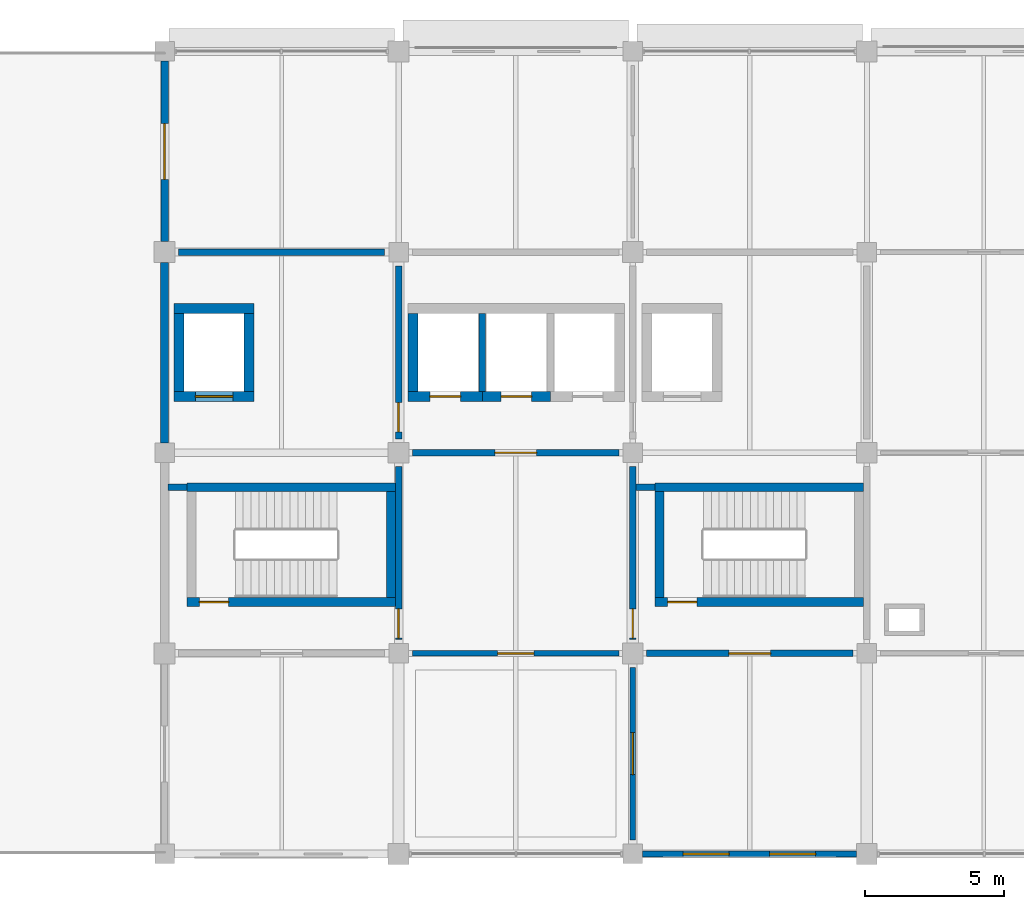
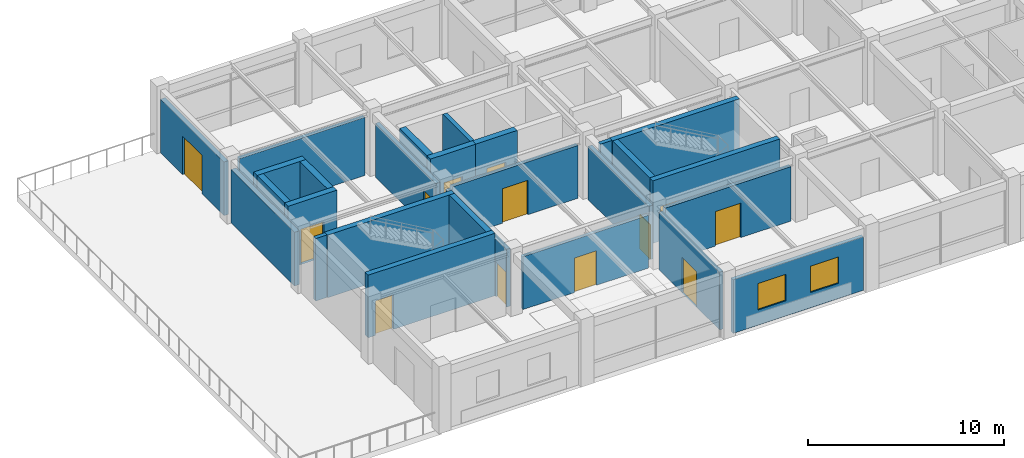
# One storey, part 6 of 10: 27 walls, 13 doors, 2 windows, 15 openings.
"""IFC4 building model written with IfcOpenShell, lengths in metres."""

from ifc_helpers import new_model, si_unit, derived_unit, direction, frame, frame_2d, origin, place, context, subcontext, project, spatial, rectangle, extrude, material, layer, layer_set, type_object, element, fill, save


model = new_model("IFC4")

# Units and contexts
model_context = context("Model", 3, precision=1e-05, world=origin(), true_north=direction((0.0, 1.0)))
body_context = subcontext(model_context, "Body", "Model", "MODEL_VIEW")
ifc_project = project(units=[si_unit("LENGTHUNIT", "METRE"), si_unit("AREAUNIT", "SQUARE_METRE"), si_unit("VOLUMEUNIT", "CUBIC_METRE"), si_unit("PLANEANGLEUNIT", "RADIAN"), si_unit("MASSUNIT", "GRAM", prefix="KILO"), derived_unit("THERMALTRANSMITTANCEUNIT", [(si_unit("MASSUNIT", "GRAM", prefix="KILO"), 1), (si_unit("TIMEUNIT", "SECOND"), -3), (si_unit("THERMODYNAMICTEMPERATUREUNIT", "KELVIN"), -1)])], contexts=[model_context])

# Site, building, storey
site_placement = place(None, origin())
site = spatial("IfcSite", under=ifc_project, at=site_placement, CompositionType="ELEMENT")
building_placement = place(site_placement, origin())
building = spatial("IfcBuilding", under=site, at=building_placement, Name="Veldstrom Oceanarium and Marine Research Institute", CompositionType="ELEMENT")
storey_placement = place(building_placement, frame((0.0, 0.0, 43.800048828125)))
storey = spatial("IfcBuildingStorey", under=building, at=storey_placement, Name="L09", CompositionType="ELEMENT", Elevation=43.800048828125)

# Wall
ifc_material_1 = material(Name="Masonry Cavity Wall", Category="masonry")
ifc_layer_1 = layer(ifc_material_1, 0.2900390625)
ifc_layer_set_1 = layer_set([ifc_layer_1], Name="ARC-WAL-EW2")
wall_type_1 = type_object("IfcWallType", Name="ARC-WAL-EW2", PredefinedType="SOLIDWALL", material=ifc_layer_set_1)
wall_1_placement = place(storey_placement, frame((75.60009765625, 57.949951171875, 0.0), z_axis=(0.0, 0.0, 1.0), x_axis=(0.0, 1.0, 0.0)))
element("IfcWall", 1, at=wall_1_placement, inside=storey, type_object=wall_type_1, Name="Exterior Facade Wall EW2 L09-215", PredefinedType="SOLIDWALL", context=body_context, shape_type="SweptSolid", body=[
    extrude(rectangle(XDim=6.47509765625, YDim=0.2900390625, at=frame_2d((3.237548828125, 0.0))), origin(), (0.0, 0.0, 1.0), 3.344970703125),
])

# Wall, opening, door
ifc_material_2 = material(Name="Masonry Cavity Wall", Category="masonry")
ifc_layer_2 = layer(ifc_material_2, 0.27001953125)
ifc_layer_set_2 = layer_set([ifc_layer_2], Name="ARC-WAL-EW3")
wall_type_2 = type_object("IfcWallType", Name="ARC-WAL-EW3", PredefinedType="SOLIDWALL", material=ifc_layer_set_2)
wall_2_placement = place(storey_placement, frame((75.60009765625, 65.175048828125, 0.0), z_axis=(0.0, 0.0, 1.0), x_axis=(0.0, 1.0, 0.0)))
wall_2 = element("IfcWall", 2, at=wall_2_placement, inside=storey, type_object=wall_type_2, Name="Exterior Facade Wall EW3 L09-216", PredefinedType="SOLIDWALL", context=body_context, shape_type="SweptSolid", body=[
    extrude(rectangle(XDim=6.474853515625, YDim=0.27001953125, at=frame_2d((3.2373046875, 0.0))), origin(), (0.0, 0.0, 1.0), 3.344970703125),
])
opening_1_placement = place(wall_2_placement, frame((2.237548828125, 0.0, 0.0)))
opening_1 = element("IfcOpeningElement", 3, at=opening_1_placement, cuts=wall_2, Name="Opening D-L09-020", PredefinedType="OPENING", context=body_context, shape_type="SweptSolid", body=[
    extrude(rectangle(XDim=2.0, YDim=2.39990234375, at=frame_2d((1.0, 1.199951171875))), frame((0.0, 0.14501953125, 0.0), z_axis=(0.0, -1.0, 0.0), x_axis=(1.0, 0.0, 0.0)), (0.0, 0.0, 1.0), 0.2900390625),
])
ifc_material_3 = material(Name="Anodised Aluminium Glazed Door", Category="aluminium")
door_type_1 = type_object("IfcDoorType", Name="ARC-DOR-ED1", OperationType="DOUBLE_DOOR_SINGLE_SWING", PredefinedType="DOOR", material=ifc_material_3)
door_1_placement = place(opening_1_placement, origin())
door_1 = element("IfcDoor", 4, at=door_1_placement, inside=storey, type_object=door_type_1, Name="Terrace Access Door D-L09-020", OperationType="DOUBLE_DOOR_SINGLE_SWING", OverallHeight=2.39990234375, OverallWidth=2.0, PredefinedType="DOOR", context=body_context, shape_type="SweptSolid", body=[
    extrude(rectangle(XDim=2.0, YDim=2.39990234375, at=frame_2d((1.0, 1.199951171875))), frame((0.0, 0.02490234375, 0.0), z_axis=(0.0, -1.0, 0.0), x_axis=(1.0, 0.0, 0.0)), (0.0, 0.0, 1.0), 0.050048828125),
])
fill(opening_1, door_1)

# Wall, openings, windows
ifc_material_4 = material(Name="Masonry Cavity Wall", Category="masonry")
ifc_layer_3 = layer(ifc_material_4, 0.215087890625)
ifc_layer_set_3 = layer_set([ifc_layer_3], Name="ARC-WAL-EW6")
wall_type_3 = type_object("IfcWallType", Name="ARC-WAL-EW6", PredefinedType="SOLIDWALL", material=ifc_layer_set_3)
wall_3_placement = place(storey_placement, frame((92.75, 43.199951171875, 0.0), z_axis=(0.0, 0.0, 1.0), x_axis=(1.0, 0.0, 0.0)))
wall_3 = element("IfcWall", 5, at=wall_3_placement, inside=storey, type_object=wall_type_3, Name="Exterior Facade Wall EW6 L09-218", PredefinedType="SOLIDWALL", context=body_context, shape_type="SweptSolid", body=[
    extrude(rectangle(XDim=7.675048828125, YDim=0.215087890625, at=frame_2d((3.83740234375, 0.0))), origin(), (0.0, 0.0, 1.0), 3.344970703125),
])
opening_2_placement = place(wall_3_placement, frame((1.458251953125, 0.0, 0.949951171875)))
opening_2 = element("IfcOpeningElement", 6, at=opening_2_placement, cuts=wall_3, Name="Opening W23", PredefinedType="OPENING", context=body_context, shape_type="SweptSolid", body=[
    extrude(rectangle(XDim=1.64990234375, YDim=1.64990234375, at=frame_2d((0.824951171875, 0.824951171875))), frame((0.0, 0.117431640625, 0.0), z_axis=(0.0, -1.0, 0.0), x_axis=(1.0, 0.0, 0.0)), (0.0, 0.0, 1.0), 0.235107421875),
])
opening_3_placement = place(wall_3_placement, frame((4.566650390625, 0.0, 0.949951171875)))
opening_3 = element("IfcOpeningElement", 7, at=opening_3_placement, cuts=wall_3, Name="Opening W23", PredefinedType="OPENING", context=body_context, shape_type="SweptSolid", body=[
    extrude(rectangle(XDim=1.64990234375, YDim=1.64990234375, at=frame_2d((0.824951171875, 0.824951171875))), frame((0.0, 0.117431640625, 0.0), z_axis=(0.0, -1.0, 0.0), x_axis=(1.0, 0.0, 0.0)), (0.0, 0.0, 1.0), 0.235107421875),
])
ifc_material_5 = material(Name="Double Glazed Low-E IGU", Category="glass")
window_type = type_object("IfcWindowType", Name="ARC-WIN-W23", PartitioningType="SINGLE_PANEL", PredefinedType="WINDOW", material=ifc_material_5)
window_1_placement = place(opening_2_placement, origin())
window_1 = element("IfcWindow", 8, at=window_1_placement, inside=storey, type_object=window_type, Name="Facade Window W23 L09-0191", OverallHeight=1.64990234375, OverallWidth=1.64990234375, PartitioningType="SINGLE_PANEL", PredefinedType="WINDOW", context=body_context, shape_type="SweptSolid", body=[
    extrude(rectangle(XDim=1.64990234375, YDim=1.64990234375, at=frame_2d((0.824951171875, 0.824951171875))), frame((0.0, 0.030029296875, 0.0), z_axis=(0.0, -1.0, 0.0), x_axis=(1.0, 0.0, 0.0)), (0.0, 0.0, 1.0), 0.06005859375),
])
fill(opening_2, window_1)
window_2_placement = place(opening_3_placement, origin())
window_2 = element("IfcWindow", 9, at=window_2_placement, inside=storey, type_object=window_type, Name="Facade Window W23 L09-0192", OverallHeight=1.64990234375, OverallWidth=1.64990234375, PartitioningType="SINGLE_PANEL", PredefinedType="WINDOW", context=body_context, shape_type="SweptSolid", body=[
    extrude(rectangle(XDim=1.64990234375, YDim=1.64990234375, at=frame_2d((0.824951171875, 0.824951171875))), frame((0.0, 0.030029296875, 0.0), z_axis=(0.0, -1.0, 0.0), x_axis=(1.0, 0.0, 0.0)), (0.0, 0.0, 1.0), 0.06005859375),
])
fill(opening_3, window_2)

# Wall, opening, door
ifc_material_6 = material(Name="Masonry Fire Compartment Wall", Category="masonry")
ifc_layer_4 = layer(ifc_material_6, 0.22998046875)
ifc_layer_set_4 = layer_set([ifc_layer_4], Name="ARC-WAL-PT1")
wall_type_4 = type_object("IfcWallType", Name="ARC-WAL-PT1", PredefinedType="PARTITIONING", material=ifc_layer_set_4)
wall_4_placement = place(storey_placement, frame((84.0, 50.89990234375, 0.0), z_axis=(0.0, 0.0, 1.0), x_axis=(0.0, 1.0, 0.0)))
wall_4 = element("IfcWall", 10, at=wall_4_placement, inside=storey, type_object=wall_type_4, Name="Interior Partition PT1 L09-1606", PredefinedType="PARTITIONING", context=body_context, shape_type="SweptSolid", body=[
    extrude(rectangle(XDim=6.2001953125, YDim=0.22998046875, at=frame_2d((3.10009765625, 0.0))), origin(), (0.0, 0.0, 1.0), 3.60498046875),
])
opening_4_placement = place(wall_4_placement, frame((0.050048828125, 0.0, 0.0)))
opening_4 = element("IfcOpeningElement", 11, at=opening_4_placement, cuts=wall_4, Name="Opening D-L09-978", PredefinedType="OPENING", context=body_context, shape_type="SweptSolid", body=[
    extrude(rectangle(XDim=1.050048828125, YDim=2.14990234375, at=frame_2d((0.52490234375, 1.074951171875))), frame((0.0, 0.125, 0.0), z_axis=(0.0, -1.0, 0.0), x_axis=(1.0, 0.0, 0.0)), (0.0, 0.0, 1.0), 0.25),
])
ifc_material_7 = material(Name="Painted Steel Fire Door", Category="steel")
door_type_2 = type_object("IfcDoorType", Name="ARC-DOR-SD1", OperationType="SINGLE_SWING_LEFT", PredefinedType="DOOR", material=ifc_material_7)
door_2_placement = place(opening_4_placement, origin())
door_2 = element("IfcDoor", 12, at=door_2_placement, inside=storey, type_object=door_type_2, Name="Interior Door D-L09-978", OperationType="SINGLE_SWING_LEFT", OverallHeight=2.14990234375, OverallWidth=1.050048828125, PredefinedType="DOOR", context=body_context, shape_type="SweptSolid", body=[
    extrude(rectangle(XDim=1.050048828125, YDim=2.14990234375, at=frame_2d((0.52490234375, 1.074951171875))), frame((0.0, 0.02490234375, 0.0), z_axis=(0.0, -1.0, 0.0), x_axis=(1.0, 0.0, 0.0)), (0.0, 0.0, 1.0), 0.050048828125),
])
fill(opening_4, door_2)

# Wall
wall_5_placement = place(storey_placement, frame((75.719970703125, 56.360107421875, 0.0), z_axis=(0.0, 0.0, 1.0), x_axis=(1.0, 0.0, 0.0)))
element("IfcWall", 13, at=wall_5_placement, inside=storey, type_object=wall_type_4, Name="Interior Partition PT1 L09-1607", PredefinedType="PARTITIONING", context=body_context, shape_type="SweptSolid", body=[
    extrude(rectangle(XDim=0.679931640625, YDim=0.22998046875, at=frame_2d((0.33984375, 0.0))), origin(), (0.0, 0.0, 1.0), 3.89990234375),
])

# Wall, opening, door
wall_6_placement = place(storey_placement, frame((84.0, 58.10009765625, 0.0), z_axis=(0.0, 0.0, 1.0), x_axis=(0.0, 1.0, 0.0)))
wall_6 = element("IfcWall", 14, at=wall_6_placement, inside=storey, type_object=wall_type_4, Name="Interior Partition PT1 L09-1608", PredefinedType="PARTITIONING", context=body_context, shape_type="SweptSolid", body=[
    extrude(rectangle(XDim=6.199951171875, YDim=0.22998046875, at=frame_2d((3.10009765625, 0.0))), origin(), (0.0, 0.0, 1.0), 3.344970703125),
])
opening_5_placement = place(wall_6_placement, frame((0.25, 0.0, 0.0)))
opening_5 = element("IfcOpeningElement", 15, at=opening_5_placement, cuts=wall_6, Name="Opening D-L09-979", PredefinedType="OPENING", context=body_context, shape_type="SweptSolid", body=[
    extrude(rectangle(XDim=1.050048828125, YDim=2.14990234375, at=frame_2d((0.52490234375, 1.074951171875))), frame((0.0, 0.125, 0.0), z_axis=(0.0, -1.0, 0.0), x_axis=(1.0, 0.0, 0.0)), (0.0, 0.0, 1.0), 0.25),
])
door_3_placement = place(opening_5_placement, frame((1.050048828125, 0.0, 0.0), z_axis=(0.0, 0.0, 1.0), x_axis=(-1.0, 0.0, 0.0)))
door_3 = element("IfcDoor", 16, at=door_3_placement, inside=storey, type_object=door_type_2, Name="Interior Door D-L09-979", OperationType="SINGLE_SWING_RIGHT", OverallHeight=2.14990234375, OverallWidth=1.050048828125, PredefinedType="DOOR", context=body_context, shape_type="SweptSolid", body=[
    extrude(rectangle(XDim=1.050048828125, YDim=2.14990234375, at=frame_2d((0.52490234375, 1.074951171875))), frame((0.0, 0.02490234375, 0.0), z_axis=(0.0, -1.0, 0.0), x_axis=(1.0, 0.0, 0.0)), (0.0, 0.0, 1.0), 0.050048828125),
])
fill(opening_5, door_3)

# Wall
wall_7_placement = place(storey_placement, frame((76.10009765625, 64.800048828125, 0.0), z_axis=(0.0, 0.0, 1.0), x_axis=(1.0, 0.0, 0.0)))
element("IfcWall", 17, at=wall_7_placement, inside=storey, type_object=wall_type_4, Name="Interior Partition PT1 L09-1609", PredefinedType="PARTITIONING", context=body_context, shape_type="SweptSolid", body=[
    extrude(rectangle(XDim=7.39990234375, YDim=0.22998046875, at=frame_2d((3.699951171875, 0.0))), origin(), (0.0, 0.0, 1.0), 3.625),
])

# Wall, opening, door
wall_8_placement = place(storey_placement, frame((92.39990234375, 50.89990234375, 0.0), z_axis=(0.0, 0.0, 1.0), x_axis=(0.0, 1.0, 0.0)))
wall_8 = element("IfcWall", 18, at=wall_8_placement, inside=storey, type_object=wall_type_4, Name="Interior Partition PT1 L09-1612", PredefinedType="PARTITIONING", context=body_context, shape_type="SweptSolid", body=[
    extrude(rectangle(XDim=6.2001953125, YDim=0.22998046875, at=frame_2d((3.10009765625, 0.0))), origin(), (0.0, 0.0, 1.0), 3.344970703125),
])
opening_6_placement = place(wall_8_placement, frame((0.050048828125, 0.0, 0.0)))
opening_6 = element("IfcOpeningElement", 19, at=opening_6_placement, cuts=wall_8, Name="Opening D-L09-982", PredefinedType="OPENING", context=body_context, shape_type="SweptSolid", body=[
    extrude(rectangle(XDim=1.050048828125, YDim=2.14990234375, at=frame_2d((0.52490234375, 1.074951171875))), frame((0.0, 0.125, 0.0), z_axis=(0.0, -1.0, 0.0), x_axis=(1.0, 0.0, 0.0)), (0.0, 0.0, 1.0), 0.25),
])
door_4_placement = place(opening_6_placement, frame((1.050048828125, 0.0, 0.0), z_axis=(0.0, 0.0, 1.0), x_axis=(-1.0, 0.0, 0.0)))
door_4 = element("IfcDoor", 20, at=door_4_placement, inside=storey, type_object=door_type_2, Name="Interior Door D-L09-982", OperationType="SINGLE_SWING_RIGHT", OverallHeight=2.14990234375, OverallWidth=1.050048828125, PredefinedType="DOOR", context=body_context, shape_type="SweptSolid", body=[
    extrude(rectangle(XDim=1.050048828125, YDim=2.14990234375, at=frame_2d((0.52490234375, 1.074951171875))), frame((0.0, 0.02490234375, 0.0), z_axis=(0.0, -1.0, 0.0), x_axis=(1.0, 0.0, 0.0)), (0.0, 0.0, 1.0), 0.050048828125),
])
fill(opening_6, door_4)

wall_9_placement = place(storey_placement, frame((84.5, 57.60009765625, 0.0), z_axis=(0.0, 0.0, 1.0), x_axis=(1.0, 0.0, 0.0)))
wall_9 = element("IfcWall", 21, at=wall_9_placement, inside=storey, type_object=wall_type_4, Name="Interior Partition PT1 L09-1613", PredefinedType="PARTITIONING", context=body_context, shape_type="SweptSolid", body=[
    extrude(rectangle(XDim=7.39990234375, YDim=0.22998046875, at=frame_2d((3.699951171875, 0.0))), origin(), (0.0, 0.0, 1.0), 3.294921875),
])
opening_7_placement = place(wall_9_placement, frame((2.949951171875, 0.0, 0.0)))
opening_7 = element("IfcOpeningElement", 22, at=opening_7_placement, cuts=wall_9, Name="Opening D-L09-983", PredefinedType="OPENING", context=body_context, shape_type="SweptSolid", body=[
    extrude(rectangle(XDim=1.5, YDim=2.14990234375, at=frame_2d((0.75, 1.074951171875))), frame((0.0, 0.125, 0.0), z_axis=(0.0, -1.0, 0.0), x_axis=(1.0, 0.0, 0.0)), (0.0, 0.0, 1.0), 0.25),
])
ifc_material_8 = material(Name="Painted Steel Lobby Fire Door", Category="steel")
door_type_3 = type_object("IfcDoorType", Name="ARC-DOR-SD2", OperationType="DOUBLE_DOOR_SINGLE_SWING", PredefinedType="DOOR", material=ifc_material_8)
door_5_placement = place(opening_7_placement, origin())
door_5 = element("IfcDoor", 23, at=door_5_placement, inside=storey, type_object=door_type_3, Name="Interior Door D-L09-983", OperationType="DOUBLE_DOOR_SINGLE_SWING", OverallHeight=2.14990234375, OverallWidth=1.5, PredefinedType="DOOR", context=body_context, shape_type="SweptSolid", body=[
    extrude(rectangle(XDim=1.5, YDim=2.14990234375, at=frame_2d((0.75, 1.074951171875))), frame((0.0, 0.02490234375, 0.0), z_axis=(0.0, -1.0, 0.0), x_axis=(1.0, 0.0, 0.0)), (0.0, 0.0, 1.0), 0.050048828125),
])
fill(opening_7, door_5)

wall_10_placement = place(storey_placement, frame((92.89990234375, 50.39990234375, 0.0), z_axis=(0.0, 0.0, 1.0), x_axis=(1.0, 0.0, 0.0)))
wall_10 = element("IfcWall", 24, at=wall_10_placement, inside=storey, type_object=wall_type_4, Name="Interior Partition PT1 L09-1617", PredefinedType="PARTITIONING", context=body_context, shape_type="SweptSolid", body=[
    extrude(rectangle(XDim=7.400146484375, YDim=0.22998046875, at=frame_2d((3.7001953125, 0.0))), origin(), (0.0, 0.0, 1.0), 3.39501953125),
])
opening_8_placement = place(wall_10_placement, frame((2.949951171875, 0.0, 0.0)))
opening_8 = element("IfcOpeningElement", 25, at=opening_8_placement, cuts=wall_10, Name="Opening D-L09-986", PredefinedType="OPENING", context=body_context, shape_type="SweptSolid", body=[
    extrude(rectangle(XDim=1.5, YDim=2.14990234375, at=frame_2d((0.75, 1.074951171875))), frame((0.0, 0.125, 0.0), z_axis=(0.0, -1.0, 0.0), x_axis=(1.0, 0.0, 0.0)), (0.0, 0.0, 1.0), 0.25),
])
door_6_placement = place(opening_8_placement, frame((1.5, 0.0, 0.0), z_axis=(0.0, 0.0, 1.0), x_axis=(-1.0, 0.0, 0.0)))
door_6 = element("IfcDoor", 26, at=door_6_placement, inside=storey, type_object=door_type_3, Name="Interior Door D-L09-986", OperationType="DOUBLE_DOOR_SINGLE_SWING", OverallHeight=2.14990234375, OverallWidth=1.5, PredefinedType="DOOR", context=body_context, shape_type="SweptSolid", body=[
    extrude(rectangle(XDim=1.5, YDim=2.14990234375, at=frame_2d((0.75, 1.074951171875))), frame((0.0, 0.02490234375, 0.0), z_axis=(0.0, -1.0, 0.0), x_axis=(1.0, 0.0, 0.0)), (0.0, 0.0, 1.0), 0.050048828125),
])
fill(opening_8, door_6)

# Wall
wall_11_placement = place(storey_placement, frame((92.52001953125, 56.360107421875, 0.0), z_axis=(0.0, 0.0, 1.0), x_axis=(1.0, 0.0, 0.0)))
element("IfcWall", 27, at=wall_11_placement, inside=storey, type_object=wall_type_4, Name="Interior Partition PT1 L09-1619", PredefinedType="PARTITIONING", context=body_context, shape_type="SweptSolid", body=[
    extrude(rectangle(XDim=0.679931640625, YDim=0.22998046875, at=frame_2d((0.33984375, 0.0))), origin(), (0.0, 0.0, 1.0), 3.89990234375),
])

# Wall, opening, door
ifc_material_9 = material(Name="Masonry Acoustic Lab Partition", Category="masonry")
ifc_layer_5 = layer(ifc_material_9, 0.205078125)
ifc_layer_set_5 = layer_set([ifc_layer_5], Name="ARC-WAL-PT2")
wall_type_5 = type_object("IfcWallType", Name="ARC-WAL-PT2", PredefinedType="PARTITIONING", material=ifc_layer_set_5)
wall_12_placement = place(storey_placement, frame((92.39990234375, 43.699951171875, 0.0), z_axis=(0.0, 0.0, 1.0), x_axis=(0.0, 1.0, 0.0)))
wall_12 = element("IfcWall", 28, at=wall_12_placement, inside=storey, type_object=wall_type_5, Name="Interior Partition PT2 L09-1610", PredefinedType="PARTITIONING", context=body_context, shape_type="SweptSolid", body=[
    extrude(rectangle(XDim=6.199951171875, YDim=0.205078125, at=frame_2d((3.10009765625, 0.0))), origin(), (0.0, 0.0, 1.0), 3.60498046875),
])
opening_9_placement = place(wall_12_placement, frame((2.35009765625, 0.0, 0.0)))
opening_9 = element("IfcOpeningElement", 29, at=opening_9_placement, cuts=wall_12, Name="Opening D-L09-980", PredefinedType="OPENING", context=body_context, shape_type="SweptSolid", body=[
    extrude(rectangle(XDim=1.5, YDim=2.199951171875, at=frame_2d((0.75, 1.10009765625))), frame((0.0, 0.112548828125, 0.0), z_axis=(0.0, -1.0, 0.0), x_axis=(1.0, 0.0, 0.0)), (0.0, 0.0, 1.0), 0.22509765625),
])
ifc_material_10 = material(Name="Laboratory Double Leaf Door", Category="timber")
door_type_4 = type_object("IfcDoorType", Name="ARC-DOR-ID03", OperationType="DOUBLE_DOOR_SINGLE_SWING", PredefinedType="DOOR", material=ifc_material_10)
door_7_placement = place(opening_9_placement, origin())
door_7 = element("IfcDoor", 30, at=door_7_placement, inside=storey, type_object=door_type_4, Name="Interior Door D-L09-980", OperationType="DOUBLE_DOOR_SINGLE_SWING", OverallHeight=2.199951171875, OverallWidth=1.5, PredefinedType="DOOR", context=body_context, shape_type="SweptSolid", body=[
    extrude(rectangle(XDim=1.5, YDim=2.199951171875, at=frame_2d((0.75, 1.10009765625))), frame((0.0, 0.02490234375, 0.0), z_axis=(0.0, -1.0, 0.0), x_axis=(1.0, 0.0, 0.0)), (0.0, 0.0, 1.0), 0.050048828125),
])
fill(opening_9, door_7)

wall_13_placement = place(storey_placement, frame((84.5, 50.39990234375, 0.0), z_axis=(0.0, 0.0, 1.0), x_axis=(1.0, 0.0, 0.0)))
wall_13 = element("IfcWall", 31, at=wall_13_placement, inside=storey, type_object=wall_type_5, Name="Interior Partition PT2 L09-1611", PredefinedType="PARTITIONING", context=body_context, shape_type="SweptSolid", body=[
    extrude(rectangle(XDim=7.39990234375, YDim=0.205078125, at=frame_2d((3.699951171875, 0.0))), origin(), (0.0, 0.0, 1.0), 3.294921875),
])
opening_10_placement = place(wall_13_placement, frame((3.050048828125, 0.0, 0.0)))
opening_10 = element("IfcOpeningElement", 32, at=opening_10_placement, cuts=wall_13, Name="Opening D-L09-981", PredefinedType="OPENING", context=body_context, shape_type="SweptSolid", body=[
    extrude(rectangle(XDim=1.300048828125, YDim=2.14990234375, at=frame_2d((0.64990234375, 1.074951171875))), frame((0.0, 0.112548828125, 0.0), z_axis=(0.0, -1.0, 0.0), x_axis=(1.0, 0.0, 0.0)), (0.0, 0.0, 1.0), 0.22509765625),
])
ifc_material_11 = material(Name="Wet Lab Leaf-and-Half Door", Category="timber")
door_type_5 = type_object("IfcDoorType", Name="ARC-DOR-ID05", OperationType="SINGLE_SWING_LEFT", PredefinedType="DOOR", material=ifc_material_11)
door_8_placement = place(opening_10_placement, frame((1.300048828125, 0.0, 0.0), z_axis=(0.0, 0.0, 1.0), x_axis=(-1.0, 0.0, 0.0)))
door_8 = element("IfcDoor", 33, at=door_8_placement, inside=storey, type_object=door_type_5, Name="Interior Door D-L09-981", OperationType="SINGLE_SWING_LEFT", OverallHeight=2.14990234375, OverallWidth=1.300048828125, PredefinedType="DOOR", context=body_context, shape_type="SweptSolid", body=[
    extrude(rectangle(XDim=1.300048828125, YDim=2.14990234375, at=frame_2d((0.64990234375, 1.074951171875))), frame((0.0, 0.02490234375, 0.0), z_axis=(0.0, -1.0, 0.0), x_axis=(1.0, 0.0, 0.0)), (0.0, 0.0, 1.0), 0.050048828125),
])
fill(opening_10, door_8)

# Wall
ifc_material_12 = material(Name="Concrete C40/50", Category="concrete")
ifc_layer_6 = layer(ifc_material_12, 0.360107421875)
ifc_layer_set_6 = layer_set([ifc_layer_6], Name="STR-WAL-WC2")
wall_type_6 = type_object("IfcWallType", Name="STR-WAL-WC2", PredefinedType="SHEAR", material=ifc_layer_set_6)
wall_14_placement = place(storey_placement, frame((75.93994140625, 62.780029296875, 0.0), z_axis=(0.0, 0.0, 1.0), x_axis=(1.0, 0.0, 0.0)))
element("IfcWall", 34, at=wall_14_placement, inside=storey, type_object=wall_type_6, Name="Lift Shaft Shear Wall N L09 9/8", PredefinedType="SHEAR", context=body_context, shape_type="SweptSolid", body=[
    extrude(rectangle(XDim=2.8701171875, YDim=0.360107421875, at=frame_2d((1.43505859375, 0.0))), origin(), (0.0, 0.0, 1.0), 3.89990234375),
])

# Wall, opening, door
wall_15_placement = place(storey_placement, frame((75.93994140625, 59.6201171875, 0.0), z_axis=(0.0, 0.0, 1.0), x_axis=(1.0, 0.0, 0.0)))
wall_15 = element("IfcWall", 35, at=wall_15_placement, inside=storey, type_object=wall_type_6, Name="Lift Shaft Front Shear Wall LF1 L09", PredefinedType="SHEAR", context=body_context, shape_type="SweptSolid", body=[
    extrude(rectangle(XDim=2.8701171875, YDim=0.360107421875, at=frame_2d((1.43505859375, 0.0))), origin(), (0.0, 0.0, 1.0), 3.89990234375),
])
opening_11_placement = place(wall_15_placement, frame((0.760009765625, 0.0, 0.0)))
opening_11 = element("IfcOpeningElement", 36, at=opening_11_placement, cuts=wall_15, Name="Opening LD-LF1-L09", PredefinedType="OPENING", context=body_context, shape_type="SweptSolid", body=[
    extrude(rectangle(XDim=1.35009765625, YDim=2.199951171875, at=frame_2d((0.675048828125, 1.10009765625))), frame((0.0, 0.18994140625, 0.0), z_axis=(0.0, -1.0, 0.0), x_axis=(1.0, 0.0, 0.0)), (0.0, 0.0, 1.0), 0.380126953125),
])
ifc_material_13 = material(Name="Stainless Steel Lift Landing Door", Category="steel")
door_type_6 = type_object("IfcDoorType", Name="ARC-DOR-LD3", OperationType="DOUBLE_DOOR_SLIDING", PredefinedType="DOOR", material=ifc_material_13)
door_9_placement = place(opening_11_placement, origin())
door_9 = element("IfcDoor", 37, at=door_9_placement, inside=storey, type_object=door_type_6, Name="Lift Landing Door LD-LF1-L09", OperationType="DOUBLE_DOOR_SLIDING", OverallHeight=2.199951171875, OverallWidth=1.35009765625, PredefinedType="DOOR", context=body_context, shape_type="SweptSolid", body=[
    extrude(rectangle(XDim=1.35009765625, YDim=2.199951171875, at=frame_2d((0.675048828125, 1.10009765625))), frame((0.0, 0.02490234375, 0.0), z_axis=(0.0, -1.0, 0.0), x_axis=(1.0, 0.0, 0.0)), (0.0, 0.0, 1.0), 0.050048828125),
])
fill(opening_11, door_9)

# Walls
for number, where, z_axis, x_axis, name in (
    (38, (76.1201171875, 59.800048828125, 0.0), (0.0, 0.0, 1.0), (0.0, 1.0, 0.0), "Lift Shaft Shear Wall W L09 9/8"),
    (39, (78.6298828125, 59.800048828125, 0.0), (0.0, 0.0, 1.0), (0.0, 1.0, 0.0), "Lift Shaft Shear Wall E L09 9/8"),
):
    element("IfcWall", number, at=place(storey_placement, frame(where, z_axis=z_axis, x_axis=x_axis)), inside=storey, type_object=wall_type_6, Name=name, PredefinedType="SHEAR", context=body_context, shape_type="SweptSolid", body=[
        extrude(rectangle(XDim=2.800048828125, YDim=0.360107421875, at=frame_2d((1.39990234375, 0.0))), origin(), (0.0, 0.0, 1.0), 3.89990234375),
    ])

# Wall, opening, door
wall_16_placement = place(storey_placement, frame((84.340087890625, 59.6201171875, 0.0), z_axis=(0.0, 0.0, 1.0), x_axis=(1.0, 0.0, 0.0)))
wall_16 = element("IfcWall", 40, at=wall_16_placement, inside=storey, type_object=wall_type_6, Name="Lift Shaft Front Shear Wall LP1 L09", PredefinedType="SHEAR", context=body_context, shape_type="SweptSolid", body=[
    extrude(rectangle(XDim=2.659912109375, YDim=0.360107421875, at=frame_2d((1.330078125, 0.0))), origin(), (0.0, 0.0, 1.0), 3.89990234375),
])
opening_12_placement = place(wall_16_placement, frame((0.780029296875, 0.0, 0.0)))
opening_12 = element("IfcOpeningElement", 41, at=opening_12_placement, cuts=wall_16, Name="Opening LD-LP1-L09", PredefinedType="OPENING", context=body_context, shape_type="SweptSolid", body=[
    extrude(rectangle(XDim=1.10009765625, YDim=2.14990234375, at=frame_2d((0.550048828125, 1.074951171875))), frame((0.0, 0.18994140625, 0.0), z_axis=(0.0, -1.0, 0.0), x_axis=(1.0, 0.0, 0.0)), (0.0, 0.0, 1.0), 0.380126953125),
])
ifc_material_14 = material(Name="Stainless Steel Lift Landing Door", Category="steel")
door_type_7 = type_object("IfcDoorType", Name="ARC-DOR-LD1", OperationType="DOUBLE_DOOR_SLIDING", PredefinedType="DOOR", material=ifc_material_14)
door_10_placement = place(opening_12_placement, origin())
door_10 = element("IfcDoor", 42, at=door_10_placement, inside=storey, type_object=door_type_7, Name="Lift Landing Door LD-LP1-L09", OperationType="DOUBLE_DOOR_SLIDING", OverallHeight=2.14990234375, OverallWidth=1.10009765625, PredefinedType="DOOR", context=body_context, shape_type="SweptSolid", body=[
    extrude(rectangle(XDim=1.10009765625, YDim=2.14990234375, at=frame_2d((0.550048828125, 1.074951171875))), frame((0.0, 0.02490234375, 0.0), z_axis=(0.0, -1.0, 0.0), x_axis=(1.0, 0.0, 0.0)), (0.0, 0.0, 1.0), 0.050048828125),
])
fill(opening_12, door_10)

wall_17_placement = place(storey_placement, frame((87.0, 59.6201171875, 0.0), z_axis=(0.0, 0.0, 1.0), x_axis=(1.0, 0.0, 0.0)))
wall_17 = element("IfcWall", 43, at=wall_17_placement, inside=storey, type_object=wall_type_6, Name="Lift Shaft Front Shear Wall LP2 L09", PredefinedType="SHEAR", context=body_context, shape_type="SweptSolid", body=[
    extrude(rectangle(XDim=2.449951171875, YDim=0.360107421875, at=frame_2d((1.22509765625, 0.0))), origin(), (0.0, 0.0, 1.0), 3.89990234375),
])
opening_13_placement = place(wall_17_placement, frame((0.675048828125, 0.0, 0.0)))
opening_13 = element("IfcOpeningElement", 44, at=opening_13_placement, cuts=wall_17, Name="Opening LD-LP2-L09", PredefinedType="OPENING", context=body_context, shape_type="SweptSolid", body=[
    extrude(rectangle(XDim=1.10009765625, YDim=2.14990234375, at=frame_2d((0.550048828125, 1.074951171875))), frame((0.0, 0.18994140625, 0.0), z_axis=(0.0, -1.0, 0.0), x_axis=(1.0, 0.0, 0.0)), (0.0, 0.0, 1.0), 0.380126953125),
])
door_11_placement = place(opening_13_placement, origin())
door_11 = element("IfcDoor", 45, at=door_11_placement, inside=storey, type_object=door_type_7, Name="Lift Landing Door LD-LP2-L09", OperationType="DOUBLE_DOOR_SLIDING", OverallHeight=2.14990234375, OverallWidth=1.10009765625, PredefinedType="DOOR", context=body_context, shape_type="SweptSolid", body=[
    extrude(rectangle(XDim=1.10009765625, YDim=2.14990234375, at=frame_2d((0.550048828125, 1.074951171875))), frame((0.0, 0.02490234375, 0.0), z_axis=(0.0, -1.0, 0.0), x_axis=(1.0, 0.0, 0.0)), (0.0, 0.0, 1.0), 0.050048828125),
])
fill(opening_13, door_11)

# Wall
wall_18_placement = place(storey_placement, frame((84.52001953125, 59.800048828125, 0.0), z_axis=(0.0, 0.0, 1.0), x_axis=(0.0, 1.0, 0.0)))
element("IfcWall", 46, at=wall_18_placement, inside=storey, type_object=wall_type_6, Name="Lift Shaft Shear Wall W L09 10/8", PredefinedType="SHEAR", context=body_context, shape_type="SweptSolid", body=[
    extrude(rectangle(XDim=2.800048828125, YDim=0.360107421875, at=frame_2d((1.39990234375, 0.0))), origin(), (0.0, 0.0, 1.0), 3.89990234375),
])

# Wall, opening, door
ifc_material_15 = material(Name="Concrete C40/50", Category="concrete")
ifc_layer_7 = layer(ifc_material_15, 0.320068359375)
ifc_layer_set_7 = layer_set([ifc_layer_7], Name="STR-WAL-WC3")
wall_type_7 = type_object("IfcWallType", Name="STR-WAL-WC3", PredefinedType="SHEAR", material=ifc_layer_set_7)
wall_19_placement = place(storey_placement, frame((76.39990234375, 52.239990234375, 0.0), z_axis=(0.0, 0.0, 1.0), x_axis=(1.0, 0.0, 0.0)))
wall_19 = element("IfcWall", 47, at=wall_19_placement, inside=storey, type_object=wall_type_7, Name="Stair Core Shear Wall SC1-L09-S", PredefinedType="SHEAR", context=body_context, shape_type="SweptSolid", body=[
    extrude(rectangle(XDim=7.47998046875, YDim=0.320068359375, at=frame_2d((3.739990234375, 0.0))), origin(), (0.0, 0.0, 1.0), 3.89990234375),
])
opening_14_placement = place(wall_19_placement, frame((0.449951171875, 0.0, 0.0)))
opening_14 = element("IfcOpeningElement", 48, at=opening_14_placement, cuts=wall_19, Name="Opening D-ST1-L09", PredefinedType="OPENING", context=body_context, shape_type="SweptSolid", body=[
    extrude(rectangle(XDim=1.050048828125, YDim=2.14990234375, at=frame_2d((0.52490234375, 1.074951171875))), frame((0.0, 0.169921875, 0.0), z_axis=(0.0, -1.0, 0.0), x_axis=(1.0, 0.0, 0.0)), (0.0, 0.0, 1.0), 0.340087890625),
])
door_12_placement = place(opening_14_placement, origin())
door_12 = element("IfcDoor", 49, at=door_12_placement, inside=storey, type_object=door_type_2, Name="Escape Stair Fire Door D-ST1-L09", OperationType="SINGLE_SWING_LEFT", OverallHeight=2.14990234375, OverallWidth=1.050048828125, PredefinedType="DOOR", context=body_context, shape_type="SweptSolid", body=[
    extrude(rectangle(XDim=1.050048828125, YDim=2.14990234375, at=frame_2d((0.52490234375, 1.074951171875))), frame((0.0, 0.02490234375, 0.0), z_axis=(0.0, -1.0, 0.0), x_axis=(1.0, 0.0, 0.0)), (0.0, 0.0, 1.0), 0.050048828125),
])
fill(opening_14, door_12)

# Walls
wall_20_placement = place(storey_placement, frame((76.39990234375, 56.360107421875, 0.0), z_axis=(0.0, 0.0, 1.0), x_axis=(1.0, 0.0, 0.0)))
element("IfcWall", 50, at=wall_20_placement, inside=storey, type_object=wall_type_7, Name="Stair Core Shear Wall SC1-L09-N", PredefinedType="SHEAR", context=body_context, shape_type="SweptSolid", body=[
    extrude(rectangle(XDim=7.47998046875, YDim=0.320068359375, at=frame_2d((3.739990234375, 0.0))), origin(), (0.0, 0.0, 1.0), 3.89990234375),
])
wall_21_placement = place(storey_placement, frame((83.719970703125, 52.39990234375, 0.0), z_axis=(0.0, 0.0, 1.0), x_axis=(0.0, 1.0, 0.0)))
element("IfcWall", 51, at=wall_21_placement, inside=storey, type_object=wall_type_7, Name="Stair Core Shear Wall SC1-L09-E", PredefinedType="SHEAR", context=body_context, shape_type="SweptSolid", body=[
    extrude(rectangle(XDim=3.800048828125, YDim=0.320068359375, at=frame_2d((1.89990234375, 0.0))), origin(), (0.0, 0.0, 1.0), 3.89990234375),
])

# Wall, opening, door
wall_22_placement = place(storey_placement, frame((93.199951171875, 52.239990234375, 0.0), z_axis=(0.0, 0.0, 1.0), x_axis=(1.0, 0.0, 0.0)))
wall_22 = element("IfcWall", 52, at=wall_22_placement, inside=storey, type_object=wall_type_7, Name="Stair Core Shear Wall SC2-L09-S", PredefinedType="SHEAR", context=body_context, shape_type="SweptSolid", body=[
    extrude(rectangle(XDim=7.47998046875, YDim=0.320068359375, at=frame_2d((3.739990234375, 0.0))), origin(), (0.0, 0.0, 1.0), 3.89990234375),
])
opening_15_placement = place(wall_22_placement, frame((0.449951171875, 0.0, 0.0)))
opening_15 = element("IfcOpeningElement", 53, at=opening_15_placement, cuts=wall_22, Name="Opening D-ST2-L09", PredefinedType="OPENING", context=body_context, shape_type="SweptSolid", body=[
    extrude(rectangle(XDim=1.050048828125, YDim=2.14990234375, at=frame_2d((0.52490234375, 1.074951171875))), frame((0.0, 0.169921875, 0.0), z_axis=(0.0, -1.0, 0.0), x_axis=(1.0, 0.0, 0.0)), (0.0, 0.0, 1.0), 0.340087890625),
])
door_13_placement = place(opening_15_placement, origin())
door_13 = element("IfcDoor", 54, at=door_13_placement, inside=storey, type_object=door_type_2, Name="Escape Stair Fire Door D-ST2-L09", OperationType="SINGLE_SWING_LEFT", OverallHeight=2.14990234375, OverallWidth=1.050048828125, PredefinedType="DOOR", context=body_context, shape_type="SweptSolid", body=[
    extrude(rectangle(XDim=1.050048828125, YDim=2.14990234375, at=frame_2d((0.52490234375, 1.074951171875))), frame((0.0, 0.02490234375, 0.0), z_axis=(0.0, -1.0, 0.0), x_axis=(1.0, 0.0, 0.0)), (0.0, 0.0, 1.0), 0.050048828125),
])
fill(opening_15, door_13)

# Walls
wall_23_placement = place(storey_placement, frame((93.199951171875, 56.360107421875, 0.0), z_axis=(0.0, 0.0, 1.0), x_axis=(1.0, 0.0, 0.0)))
element("IfcWall", 55, at=wall_23_placement, inside=storey, type_object=wall_type_7, Name="Stair Core Shear Wall SC2-L09-N", PredefinedType="SHEAR", context=body_context, shape_type="SweptSolid", body=[
    extrude(rectangle(XDim=7.47998046875, YDim=0.320068359375, at=frame_2d((3.739990234375, 0.0))), origin(), (0.0, 0.0, 1.0), 3.89990234375),
])
wall_24_placement = place(storey_placement, frame((93.360107421875, 52.39990234375, 0.0), z_axis=(0.0, 0.0, 1.0), x_axis=(0.0, 1.0, 0.0)))
element("IfcWall", 56, at=wall_24_placement, inside=storey, type_object=wall_type_7, Name="Stair Core Shear Wall SC2-L09-W", PredefinedType="SHEAR", context=body_context, shape_type="SweptSolid", body=[
    extrude(rectangle(XDim=3.800048828125, YDim=0.320068359375, at=frame_2d((1.89990234375, 0.0))), origin(), (0.0, 0.0, 1.0), 3.89990234375),
])
ifc_material_16 = material(Name="Concrete C40/50", Category="concrete")
ifc_layer_8 = layer(ifc_material_16, 0.239990234375)
ifc_layer_set_8 = layer_set([ifc_layer_8], Name="STR-WAL-WC4")
wall_type_8 = type_object("IfcWallType", Name="STR-WAL-WC4", PredefinedType="SHEAR", material=ifc_layer_set_8)
wall_25_placement = place(storey_placement, frame((87.0, 59.800048828125, 0.0), z_axis=(0.0, 0.0, 1.0), x_axis=(0.0, 1.0, 0.0)))
element("IfcWall", 57, at=wall_25_placement, inside=storey, type_object=wall_type_8, Name="Lift Shaft Divider Wall L09 10/8-1", PredefinedType="SHEAR", context=body_context, shape_type="SweptSolid", body=[
    extrude(rectangle(XDim=2.800048828125, YDim=0.239990234375, at=frame_2d((1.39990234375, 0.0))), origin(), (0.0, 0.0, 1.0), 3.89990234375),
])

save(model, "model.ifc")
